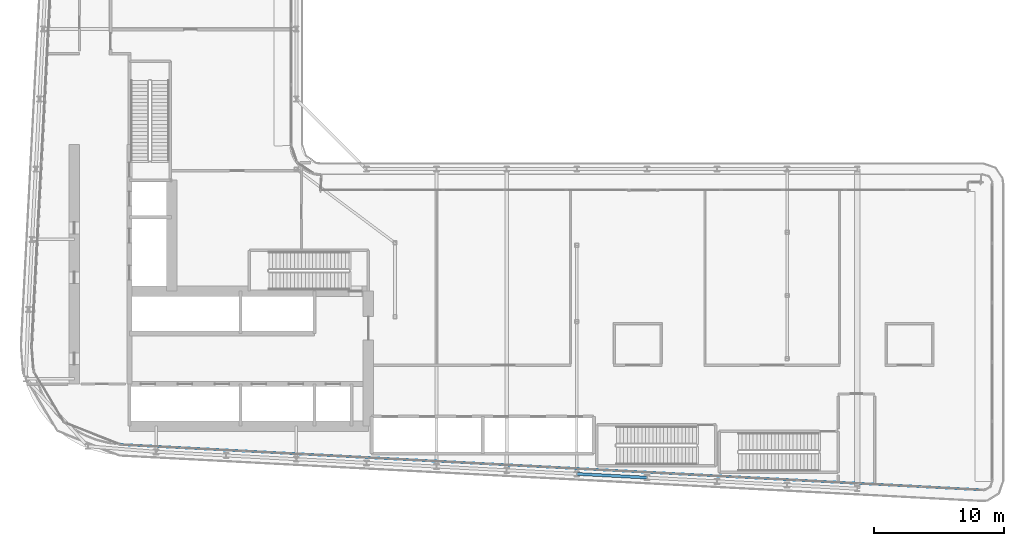
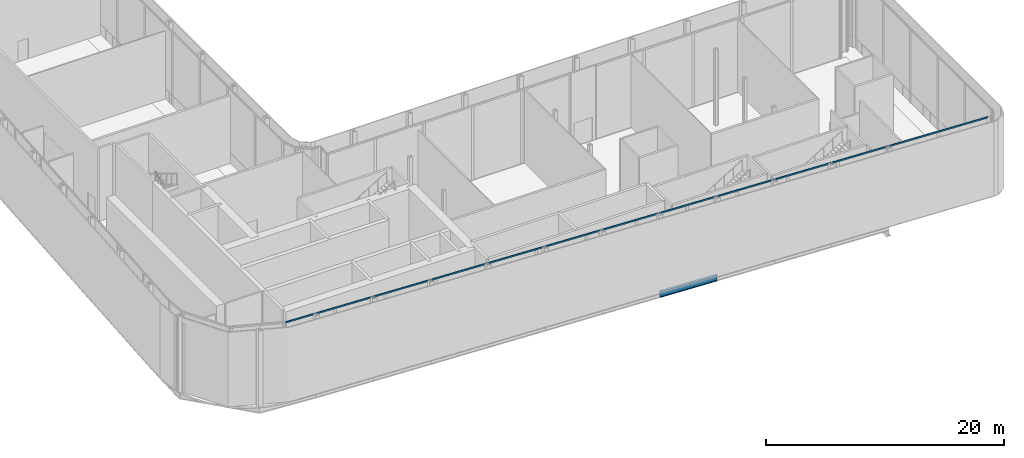
# One storey, part 8 of 37: 1 beam, 1 member, 1 element without a shape of its own.
"""IFC4 building model written with IfcOpenShell, lengths in metres."""

import ifcopenshell
import ifcopenshell.guid

model = None  # the IFC model being written
_history = None  # IfcOwnerHistory: only IFC2X3 demands one
_inside = {}  # id of a spatial element -> (the spatial element, [elements in it])
_under = {}  # id of a project, library or spatial element -> (it, [spatial elements below it])
_declared = {}  # id of a project -> (the project, [libraries it declares])
_typed = {}  # id of a type object -> (the type object, [elements of that type])
_made_of = {}  # id of a material, layer set ... -> (it, [elements and type objects made of it])


def new_model(schema):
    """Start an empty IFC model of exactly this schema.

    Asked for "IFC4X3", IfcOpenShell would pick the latest addendum, in which some entities
    have other attributes; the version numbers below select the first issue.
    IFC2X3 requires an IfcOwnerHistory on every rooted entity: one is made here for all.
    """
    global model, _history
    if schema == "IFC4X3":
        model = ifcopenshell.file(schema_version=(4, 3, 0, 0))
    else:
        model = ifcopenshell.file(schema=schema)
    _inside.clear()
    _under.clear()
    _declared.clear()
    _typed.clear()
    _made_of.clear()
    _history = None
    if model.schema == "IFC2X3":
        org = make("IfcOrganization", Name="unknown")
        user = make(
            "IfcPersonAndOrganization",
            ThePerson=make("IfcPerson", FamilyName="unknown"),
            TheOrganization=org,
        )
        app = make(
            "IfcApplication",
            ApplicationDeveloper=org,
            Version="unknown",
            ApplicationFullName="unknown",
            ApplicationIdentifier="unknown",
        )
        _history = make(
            "IfcOwnerHistory",
            OwningUser=user,
            OwningApplication=app,
            ChangeAction="ADDED",
            CreationDate=0,
        )
    return model


def make(cls, **values):
    """One entity of the class cls with the attributes given. An attribute that is None is left unset."""
    return model.create_entity(
        cls, **{name: value for name, value in values.items() if value is not None}
    )


def rooted(cls, **values):
    """An entity with a GlobalId (a new one), such as an element, a storey or a relation."""
    return make(cls, GlobalId=ifcopenshell.guid.new(), OwnerHistory=_history, **values)


def si_unit(unit_type, name, prefix=None):
    """IfcSIUnit, for example si_unit("LENGTHUNIT", "METRE", prefix="MILLI")."""
    return make("IfcSIUnit", UnitType=unit_type, Prefix=prefix, Name=name)


def assignment(units):
    """IfcUnitAssignment: the units of a project."""
    return None if units is None else make("IfcUnitAssignment", Units=units)


def point(xyz):
    """IfcCartesianPoint."""
    return None if xyz is None else make("IfcCartesianPoint", Coordinates=xyz)


def direction(xyz):
    """IfcDirection."""
    return None if xyz is None else make("IfcDirection", DirectionRatios=xyz)


def frame(location, z_axis=None, x_axis=None):
    """IfcAxis2Placement3D, a coordinate frame: its origin and axes. An axis left out is left unset."""
    return make(
        "IfcAxis2Placement3D",
        Location=point(location),
        Axis=direction(z_axis),
        RefDirection=direction(x_axis),
    )


def frame_2d(location, x_axis=None):
    """IfcAxis2Placement2D, a coordinate frame in the plane: its origin and x axis."""
    return make(
        "IfcAxis2Placement2D", Location=point(location), RefDirection=direction(x_axis)
    )


def origin():
    """The frame at (0, 0, 0) with its axes left unset."""
    return frame((0.0, 0.0, 0.0))


def origin_2d():
    """The frame at (0, 0) in the plane with its x axis left unset."""
    return frame_2d((0.0, 0.0))


def place(relative_to, where):
    """IfcLocalPlacement: puts the frame where relative to a parent placement (None: the world)."""
    return make(
        "IfcLocalPlacement", PlacementRelTo=relative_to, RelativePlacement=where
    )


def context(
    kind, dimensions, precision=None, world=None, true_north=None, identifier=None
):
    """IfcGeometricRepresentationContext, for example the 3D "Model" context."""
    return make(
        "IfcGeometricRepresentationContext",
        ContextIdentifier=identifier,
        ContextType=kind,
        CoordinateSpaceDimension=dimensions,
        Precision=precision,
        WorldCoordinateSystem=world,
        TrueNorth=true_north,
    )


def subcontext(parent, identifier, kind, view, scale=None):
    """IfcGeometricRepresentationSubContext, for example "Body" below "Model"."""
    return make(
        "IfcGeometricRepresentationSubContext",
        ContextIdentifier=identifier,
        ContextType=kind,
        ParentContext=parent,
        TargetScale=scale,
        TargetView=view,
    )


def project(units=None, contexts=None):
    """IfcProject with its units and contexts."""
    return rooted(
        "IfcProject",
        Name="project",
        RepresentationContexts=contexts,
        UnitsInContext=assignment(units),
    )


def spatial(cls, under=None, at=None, **own):
    """A site, building, storey or space (cls), placed at a placement, below another one or the project."""
    s = rooted(cls, ObjectPlacement=at, **own)
    if under is not None:
        _under.setdefault(under.id(), (under, []))[1].append(s)
    return s


def profile(cls, at=None, kind="AREA", **sizes):
    """A parametric profile (cls). Its sizes go by their IFC names, for example OverallWidth=200.0."""
    return make(cls, ProfileType=kind, Position=at, **sizes)


def rectangle(**sizes):
    """IfcRectangleProfileDef."""
    return profile("IfcRectangleProfileDef", **sizes)


def i_section(**sizes):
    """IfcIShapeProfileDef."""
    return profile("IfcIShapeProfileDef", **sizes)


def extrude(swept, where, along, depth):
    """IfcExtrudedAreaSolid: the profile swept, set in the frame where, extruded along a direction by depth."""
    return make(
        "IfcExtrudedAreaSolid",
        SweptArea=swept,
        Position=where,
        ExtrudedDirection=direction(along),
        Depth=depth,
    )


def shape(context_of_items, identifier, shape_type, items):
    """IfcShapeRepresentation: the items that make up one representation, for example the "Body"."""
    return make(
        "IfcShapeRepresentation",
        ContextOfItems=context_of_items,
        RepresentationIdentifier=identifier,
        RepresentationType=shape_type,
        Items=items,
    )


def material(Name=None, Category=None):
    """IfcMaterial."""
    return make("IfcMaterial", Name=Name, Category=Category)


def layer(
    of_material, thickness, ventilated=None, Name=None, Category=None, Priority=None
):
    """IfcMaterialLayer: one layer of a wall or slab, of a material (None: an air gap)."""
    return make(
        "IfcMaterialLayer",
        Material=of_material,
        LayerThickness=thickness,
        IsVentilated=ventilated,
        Name=Name,
        Category=Category,
        Priority=Priority,
    )


def layer_set(layers, Name=None):
    """IfcMaterialLayerSet."""
    return make("IfcMaterialLayerSet", MaterialLayers=layers, LayerSetName=Name)


def material_profile(
    of_material, cross_section, Name=None, Category=None, Priority=None
):
    """IfcMaterialProfile: a cross section and its material."""
    return make(
        "IfcMaterialProfile",
        Name=Name,
        Material=of_material,
        Profile=cross_section,
        Priority=Priority,
        Category=Category,
    )


def profile_set(profiles, Name=None, composite=None):
    """IfcMaterialProfileSet."""
    return make(
        "IfcMaterialProfileSet",
        Name=Name,
        MaterialProfiles=profiles,
        CompositeProfile=composite,
    )


def made_of(thing, what):
    """Note that an element or type object is made of a material, layer set ...; save() writes the relation."""
    if what is not None:
        _made_of.setdefault(what.id(), (what, []))[1].append(thing)
    return thing


def type_object(cls, material=None, **own):
    """A type object (cls), such as IfcWallType, which elements share."""
    return made_of(rooted(cls, **own), material)


def element(
    cls,
    number,
    at=None,
    inside=None,
    cuts=None,
    type_object=None,
    material=None,
    context=None,
    identifier="Body",
    shape_type=None,
    held_by="IfcProductDefinitionShape",
    body=None,
    shapes=None,
    **own,
):
    """One element of the class cls, such as IfcWall. Its Tag is "e" and its number.

    at: its placement. inside: the storey or other place that contains it. cuts: it is an
    opening in that element (IfcRelVoidsElement). A single representation is given by context,
    identifier, shape_type and body (its items); several are given by shapes. held_by: the class
    of the entity that holds the representations. save() writes the other relations.
    """
    e = rooted(cls, Tag="e%d" % number, ObjectPlacement=at, **own)
    if body is not None:
        shapes = [shape(context, identifier, shape_type, body)]
    if shapes is not None:
        e.Representation = make(held_by, Representations=shapes)
    if inside is not None:
        _inside.setdefault(inside.id(), (inside, []))[1].append(e)
    if cuts is not None:
        rooted(
            "IfcRelVoidsElement", RelatingBuildingElement=cuts, RelatedOpeningElement=e
        )
    if type_object is not None:
        _typed.setdefault(type_object.id(), (type_object, []))[1].append(e)
    return made_of(e, material)


def aggregate(whole, parts):
    """IfcRelAggregates: a whole, such as a stair, and the parts it consists of."""
    return rooted("IfcRelAggregates", RelatingObject=whole, RelatedObjects=parts)


def save(model, path):
    """Write the relations noted so far, then the file.

    IfcRelAggregates (storeys below a building ...), IfcRelContainedInSpatialStructure (elements
    in a storey), IfcRelDefinesByType, IfcRelAssociatesMaterial and IfcRelDeclares: one each for
    every whole, place, type object, material and project.
    """
    for whole, parts in _under.values():
        aggregate(whole, parts)
    for where, things in _inside.values():
        rooted(
            "IfcRelContainedInSpatialStructure",
            RelatedElements=things,
            RelatingStructure=where,
        )
    for kind, things in _typed.values():
        rooted("IfcRelDefinesByType", RelatedObjects=things, RelatingType=kind)
    for what, things in _made_of.values():
        rooted("IfcRelAssociatesMaterial", RelatedObjects=things, RelatingMaterial=what)
    for by, libraries in _declared.values():
        rooted("IfcRelDeclares", RelatingContext=by, RelatedDefinitions=libraries)
    model.write(path)


model = new_model("IFC4")

# Units and contexts
model_context = context("Model", 3, precision=1e-05, world=origin(), true_north=direction((0.0, 1.0)))
body_context = subcontext(model_context, "Body", "Model", "MODEL_VIEW")
ifc_project = project(units=[si_unit("LENGTHUNIT", "METRE"), si_unit("AREAUNIT", "SQUARE_METRE"), si_unit("VOLUMEUNIT", "CUBIC_METRE"), si_unit("PLANEANGLEUNIT", "RADIAN"), si_unit("MASSUNIT", "GRAM", prefix="KILO")], contexts=[model_context])

# Site, building, storey
site_placement = place(None, origin())
site = spatial("IfcSite", under=ifc_project, at=site_placement, CompositionType="ELEMENT")
building_placement = place(site_placement, origin())
building = spatial("IfcBuilding", under=site, at=building_placement, Name="Kheshtan School and Residences Tower", CompositionType="ELEMENT")
storey_placement = place(building_placement, frame((0.0, 0.0, 144.800048828125)))
storey = spatial("IfcBuildingStorey", under=building, at=storey_placement, Name="L34", CompositionType="ELEMENT", Elevation=144.800048828125)

# Beam
ifc_material_1 = material(Name="Steel ASTM A992 Grade 50", Category="steel")
ifc_material_profile_1 = material_profile(ifc_material_1, i_section(OverallWidth=0.22802734375, OverallDepth=0.60302734375, WebThickness=0.010498046875, FlangeThickness=0.014892578125, FilletRadius=0.013427734375, at=origin_2d()), Name="W610x101")
ifc_profile_set_1 = profile_set([ifc_material_profile_1], Name="Steel ASTM A992 Grade 50")
beam_type = type_object("IfcBeamType", Name="Beam SP2 W610x101 ASTM A992 Grade 50", PredefinedType="BEAM", material=ifc_profile_set_1)
beam_placement = place(storey_placement, frame((74.60009765625, 21.843017578125, -0.45166015625), z_axis=(-0.998620571751, 0.05250670125, 0.0), x_axis=(-0.05250670125, -0.998620571751, 0.0)))
element("IfcBeam", 1, at=beam_placement, inside=storey, type_object=beam_type, Name="Spandrel beam C013-C014", PredefinedType="BEAM", context=body_context, shape_type="SweptSolid", body=[
    extrude(i_section(OverallWidth=0.22802734375, OverallDepth=0.60302734375, WebThickness=0.010498046875, FlangeThickness=0.014892578125, FilletRadius=0.013427734375, at=origin_2d()), origin(), (0.0, 0.0, 1.0), 5.40771484375),
])

# Curtain wall, member
ifc_material_2 = material(Name="Clear low-e glass in thermally broken aluminium frame", Category="aluminium")
ifc_layer = layer(ifc_material_2, 0.25)
ifc_layer_set = layer_set([ifc_layer], Name="Curtain wall CW-K")
curtain_wall_type = type_object("IfcCurtainWallType", Name="Curtain wall CW-K", PredefinedType="NOTDEFINED", material=ifc_layer_set)
curtain_wall_placement = place(storey_placement, origin())
curtain_wall = element("IfcCurtainWall", 2, at=curtain_wall_placement, inside=storey, type_object=curtain_wall_type, Name="Curtain wall CWK14", PredefinedType="NOTDEFINED")
ifc_material_3 = material(Name="Thermally broken aluminium, dark bronze anodised", Category="aluminium")
ifc_material_profile_2 = material_profile(ifc_material_3, rectangle(XDim=0.06005859375, YDim=0.159912109375, at=origin_2d()), Name="CW-K transom 60x160")
ifc_profile_set_2 = profile_set([ifc_material_profile_2], Name="Thermally broken aluminium, dark bronze anodised")
member_type = type_object("IfcMemberType", Name="CW-K transom 60x160", PredefinedType="USERDEFINED", material=ifc_profile_set_2)
member_placement = place(storey_placement, frame((100.372802734375, 20.88623046875, 7.570068359375), z_axis=(-0.998617168494, 0.052571387554, 0.0), x_axis=(-0.052571387554, -0.998617168494, 0.0)))
member = element("IfcMember", 3, at=member_placement, type_object=member_type, Name="CWK14 transom 1", ObjectType="TRANSOM", PredefinedType="USERDEFINED", context=body_context, shape_type="SweptSolid", body=[
    extrude(rectangle(XDim=0.06005859375, YDim=0.159912109375, at=origin_2d()), origin(), (0.0, 0.0, 1.0), 66.343994140625),
])
aggregate(curtain_wall, [member])

save(model, "model.ifc")
